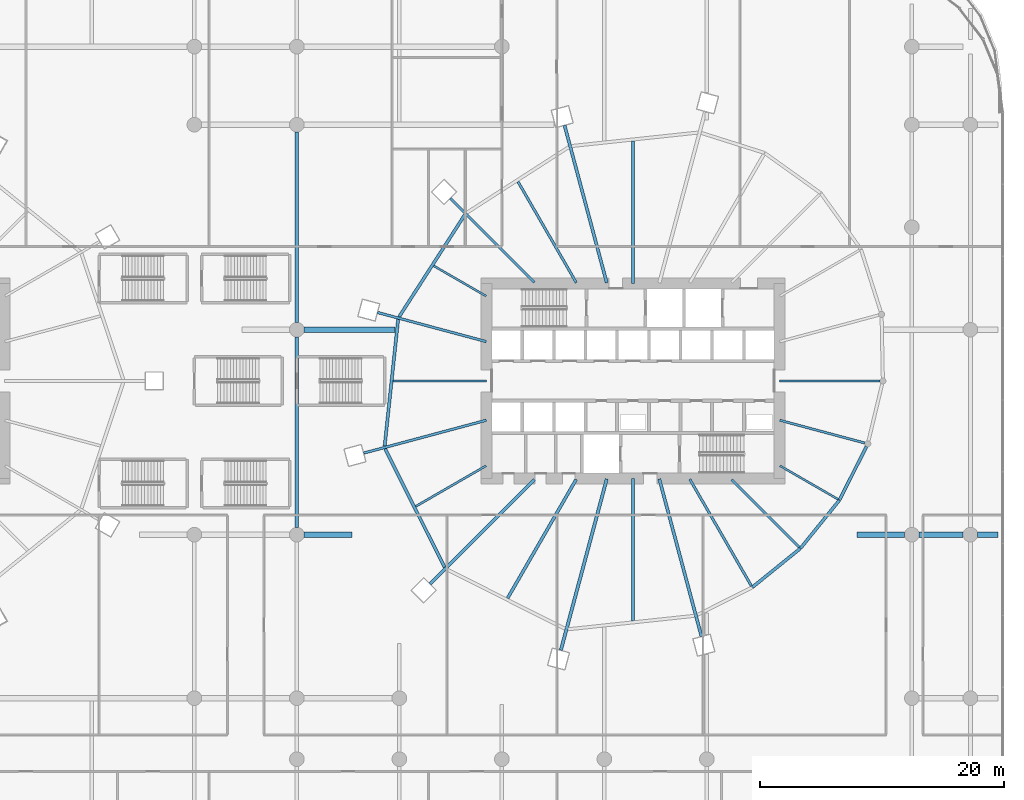
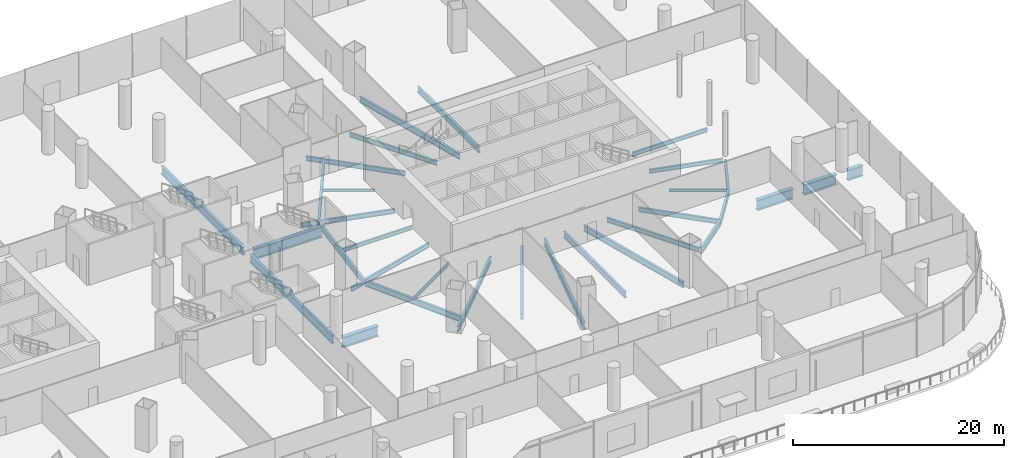
# One storey, part 18 of 51: 32 beams.
"""IFC4 building model written with IfcOpenShell, lengths in metres."""

from ifc_helpers import new_model, si_unit, direction, frame, origin, origin_2d, place, context, subcontext, project, spatial, i_section, extrude, material, material_profile, profile_set, type_object, element, save


model = new_model("IFC4")

# Units and contexts
model_context = context("Model", 3, precision=1e-05, world=origin(), true_north=direction((0.0, 1.0)))
body_context = subcontext(model_context, "Body", "Model", "MODEL_VIEW")
ifc_project = project(units=[si_unit("LENGTHUNIT", "METRE"), si_unit("AREAUNIT", "SQUARE_METRE"), si_unit("VOLUMEUNIT", "CUBIC_METRE"), si_unit("PLANEANGLEUNIT", "RADIAN"), si_unit("MASSUNIT", "GRAM", prefix="KILO")], contexts=[model_context])

# Site, building, storey
site_placement = place(None, origin())
site = spatial("IfcSite", under=ifc_project, at=site_placement, CompositionType="ELEMENT")
building_placement = place(site_placement, origin())
building = spatial("IfcBuilding", under=site, at=building_placement, Name="Rimbun Link Towers", CompositionType="ELEMENT")
storey_placement = place(building_placement, frame((0.0, 0.0, 7.0)))
storey = spatial("IfcBuildingStorey", under=building, at=storey_placement, Name="L01", CompositionType="ELEMENT", Elevation=7.0)

# Beams
ifc_material_1 = material(Name="Steel S355J2", Category="steel")
ifc_material_profile_1 = material_profile(ifc_material_1, i_section(OverallWidth=0.449951171875, OverallDepth=1.199951171875, WebThickness=0.030029296875, FlangeThickness=0.044921875, at=origin_2d()), Name="PG 1200x450x30/45")
ifc_profile_set_1 = profile_set([ifc_material_profile_1], Name="Steel S355J2")
beam_type_1 = type_object("IfcBeamType", Name="PG 1200x450x30/45", PredefinedType="BEAM", material=ifc_profile_set_1)
for number, where, z_axis, x_axis, name in (
    (1, (4.800048828125, -12.60009765625, -0.89990234375), (1.0, 0.0, 0.0), (0.0, 1.0, 0.0), "Grid beam L01 -12.6"),
    (2, (50.10009765625, -12.60009765625, -0.89990234375), (1.0, 0.0, 0.0), (0.0, 1.0, 0.0), "Grid beam L01 -12.6"),
):
    element("IfcBeam", number, at=place(storey_placement, frame(where, z_axis=z_axis, x_axis=x_axis)), inside=storey, type_object=beam_type_1, Name=name, PredefinedType="BEAM", context=body_context, shape_type="SweptSolid", body=[
        extrude(i_section(OverallWidth=0.449951171875, OverallDepth=1.199951171875, WebThickness=0.030029296875, FlangeThickness=0.044921875, at=origin_2d()), origin(), (0.0, 0.0, 1.0), 3.89990234375),
    ])
beam_1_placement = place(storey_placement, frame((55.199951171875, -12.60009765625, -0.89990234375), z_axis=(1.0, 0.0, 0.0), x_axis=(0.0, 1.0, 0.0)))
element("IfcBeam", 3, at=beam_1_placement, inside=storey, type_object=beam_type_1, Name="Grid beam L01 -12.6", PredefinedType="BEAM", context=body_context, shape_type="SweptSolid", body=[
    extrude(i_section(OverallWidth=0.449951171875, OverallDepth=1.199951171875, WebThickness=0.030029296875, FlangeThickness=0.044921875, at=origin_2d()), origin(), (0.0, 0.0, 1.0), 3.60009765625),
])
beam_2_placement = place(storey_placement, frame((60.0, -12.60009765625, -0.89990234375), z_axis=(1.0, 0.0, 0.0), x_axis=(0.0, 1.0, 0.0)))
element("IfcBeam", 4, at=beam_2_placement, inside=storey, type_object=beam_type_1, Name="Grid beam L01 -12.6", PredefinedType="BEAM", context=body_context, shape_type="SweptSolid", body=[
    extrude(i_section(OverallWidth=0.449951171875, OverallDepth=1.199951171875, WebThickness=0.030029296875, FlangeThickness=0.044921875, at=origin_2d()), origin(), (0.0, 0.0, 1.0), 1.649169921875),
])
beam_3_placement = place(storey_placement, frame((4.800048828125, 4.199951171875, -0.89990234375), z_axis=(1.0, 0.0, 0.0), x_axis=(0.0, 1.0, 0.0)))
element("IfcBeam", 5, at=beam_3_placement, inside=storey, type_object=beam_type_1, Name="Grid beam L01 +4.2", PredefinedType="BEAM", context=body_context, shape_type="SweptSolid", body=[
    extrude(i_section(OverallWidth=0.449951171875, OverallDepth=1.199951171875, WebThickness=0.030029296875, FlangeThickness=0.044921875, at=origin_2d()), origin(), (0.0, 0.0, 1.0), 7.45751953125),
])
ifc_material_2 = material(Name="Steel S355J2", Category="steel")
ifc_material_profile_2 = material_profile(ifc_material_2, i_section(OverallWidth=0.1650390625, OverallDepth=0.303466796875, WebThickness=0.006103515625, FlangeThickness=0.01025390625, at=origin_2d()), Name="UB 305x165x40")
ifc_profile_set_2 = profile_set([ifc_material_profile_2], Name="Steel S355J2")
beam_type_2 = type_object("IfcBeamType", Name="UB 305x165x40", PredefinedType="BEAM", material=ifc_profile_set_2)
beam_4_placement = place(storey_placement, frame((19.7080078125, 6.952392578125, -0.45166015625), z_axis=(-0.866029649098, 0.49999264683, 0.0), x_axis=(-0.49999264683, -0.866029649098, 0.0)))
element("IfcBeam", 6, at=beam_4_placement, inside=storey, type_object=beam_type_2, Name="Radial beam T2 L01 07", PredefinedType="BEAM", context=body_context, shape_type="SweptSolid", body=[
    extrude(i_section(OverallWidth=0.1650390625, OverallDepth=0.303466796875, WebThickness=0.006103515625, FlangeThickness=0.01025390625, at=origin_2d()), origin(), (0.0, 0.0, 1.0), 4.95361328125),
])
beam_5_placement = place(storey_placement, frame((43.7919921875, -6.952392578125, -0.45166015625), z_axis=(0.86600383438, -0.500037357444, 0.0), x_axis=(0.500037357444, 0.86600383438, 0.0)))
element("IfcBeam", 7, at=beam_5_placement, inside=storey, type_object=beam_type_2, Name="Radial beam T2 L01 19", PredefinedType="BEAM", context=body_context, shape_type="SweptSolid", body=[
    extrude(i_section(OverallWidth=0.1650390625, OverallDepth=0.303466796875, WebThickness=0.006103515625, FlangeThickness=0.01025390625, at=origin_2d()), origin(), (0.0, 0.0, 1.0), 5.5029296875),
])
ifc_material_3 = material(Name="Steel S355J2", Category="steel")
ifc_material_profile_3 = material_profile(ifc_material_3, i_section(OverallWidth=0.177978515625, OverallDepth=0.406494140625, WebThickness=0.0078125, FlangeThickness=0.0126953125, at=origin_2d()), Name="UB 406x178x60")
ifc_profile_set_3 = profile_set([ifc_material_profile_3], Name="Steel S355J2")
beam_type_3 = type_object("IfcBeamType", Name="UB 406x178x60", PredefinedType="BEAM", material=ifc_profile_set_3)
beam_6_placement = place(storey_placement, frame((19.70458984375, -6.954345703125, -0.503173828125), z_axis=(-0.866016262799, -0.500015832317, 0.0), x_axis=(0.500015832317, -0.866016262799, 0.0)))
element("IfcBeam", 8, at=beam_6_placement, inside=storey, type_object=beam_type_3, Name="Radial beam T2 L01 11", PredefinedType="BEAM", context=body_context, shape_type="SweptSolid", body=[
    extrude(i_section(OverallWidth=0.177978515625, OverallDepth=0.406494140625, WebThickness=0.0078125, FlangeThickness=0.0126953125, at=origin_2d()), origin(), (0.0, 0.0, 1.0), 6.651123046875),
])
ifc_material_4 = material(Name="Steel S355J2", Category="steel")
ifc_material_profile_4 = material_profile(ifc_material_4, i_section(OverallWidth=0.18994140625, OverallDepth=0.453369140625, WebThickness=0.008544921875, FlangeThickness=0.0126953125, at=origin_2d()), Name="UB 457x191x67")
ifc_profile_set_4 = profile_set([ifc_material_profile_4], Name="Steel S355J2")
beam_type_4 = type_object("IfcBeamType", Name="UB 457x191x67", PredefinedType="BEAM", material=ifc_profile_set_4)
beam_7_placement = place(storey_placement, frame((19.7490234375, 0.0, -0.526611328125), z_axis=(-1.0, 0.0, 0.0), x_axis=(0.0, -1.0, 0.0)))
element("IfcBeam", 9, at=beam_7_placement, inside=storey, type_object=beam_type_4, Name="Radial beam T2 L01 09", PredefinedType="BEAM", context=body_context, shape_type="SweptSolid", body=[
    extrude(i_section(OverallWidth=0.18994140625, OverallDepth=0.453369140625, WebThickness=0.008544921875, FlangeThickness=0.0126953125, at=origin_2d()), origin(), (0.0, 0.0, 1.0), 7.65771484375),
])
beam_8_placement = place(storey_placement, frame((43.775390625, -3.22216796875, -0.526611328125), z_axis=(0.965928471546, -0.258809172667, 0.0), x_axis=(0.258809172667, 0.965928471546, 0.0)))
element("IfcBeam", 10, at=beam_8_placement, inside=storey, type_object=beam_type_4, Name="Radial beam T2 L01 20", PredefinedType="BEAM", context=body_context, shape_type="SweptSolid", body=[
    extrude(i_section(OverallWidth=0.18994140625, OverallDepth=0.453369140625, WebThickness=0.008544921875, FlangeThickness=0.0126953125, at=origin_2d()), origin(), (0.0, 0.0, 1.0), 7.2353515625),
])
beam_9_placement = place(storey_placement, frame((43.7509765625, 0.0, -0.526611328125), z_axis=(1.0, 0.0, 0.0), x_axis=(0.0, 1.0, 0.0)))
element("IfcBeam", 11, at=beam_9_placement, inside=storey, type_object=beam_type_4, Name="Radial beam T2 L01 21", PredefinedType="BEAM", context=body_context, shape_type="SweptSolid", body=[
    extrude(i_section(OverallWidth=0.18994140625, OverallDepth=0.453369140625, WebThickness=0.008544921875, FlangeThickness=0.0126953125, at=origin_2d()), origin(), (0.0, 0.0, 1.0), 8.243408203125),
])
ifc_material_5 = material(Name="Steel S355J2", Category="steel")
ifc_material_profile_5 = material_profile(ifc_material_5, i_section(OverallWidth=0.209228515625, OverallDepth=0.533203125, WebThickness=0.010009765625, FlangeThickness=0.015625, at=origin_2d()), Name="UB 533x210x92")
ifc_profile_set_5 = profile_set([ifc_material_profile_5], Name="Steel S355J2")
beam_type_5 = type_object("IfcBeamType", Name="UB 533x210x92", PredefinedType="BEAM", material=ifc_profile_set_5)
beam_10_placement = place(storey_placement, frame((27.1005859375, 8.05322265625, -0.56640625), z_axis=(-0.500001003139, 0.866024824621, 0.0), x_axis=(-0.866024824621, -0.500001003139, 0.0)))
element("IfcBeam", 12, at=beam_10_placement, inside=storey, type_object=beam_type_5, Name="Radial beam T2 L01 05", PredefinedType="BEAM", context=body_context, shape_type="SweptSolid", body=[
    extrude(i_section(OverallWidth=0.209228515625, OverallDepth=0.533203125, WebThickness=0.010009765625, FlangeThickness=0.015625, at=origin_2d()), origin(), (0.0, 0.0, 1.0), 9.5595703125),
])
beam_11_placement = place(storey_placement, frame((23.67529296875, 8.07470703125, -0.56640625), z_axis=(-0.707106781187, 0.707106781187, 0.0), x_axis=(-0.707106781187, -0.707106781187, 0.0)))
element("IfcBeam", 13, at=beam_11_placement, inside=storey, type_object=beam_type_5, Name="Radial beam T2 L01 06", PredefinedType="BEAM", context=body_context, shape_type="SweptSolid", body=[
    extrude(i_section(OverallWidth=0.209228515625, OverallDepth=0.533203125, WebThickness=0.010009765625, FlangeThickness=0.015625, at=origin_2d()), origin(), (0.0, 0.0, 1.0), 9.73486328125),
])
beam_12_placement = place(storey_placement, frame((19.721923828125, 3.222900390625, -0.56640625), z_axis=(-0.965927485499, 0.258812852768, 0.0), x_axis=(-0.258812852768, -0.965927485499, 0.0)))
element("IfcBeam", 14, at=beam_12_placement, inside=storey, type_object=beam_type_5, Name="Radial beam T2 L01 08", PredefinedType="BEAM", context=body_context, shape_type="SweptSolid", body=[
    extrude(i_section(OverallWidth=0.209228515625, OverallDepth=0.533203125, WebThickness=0.010009765625, FlangeThickness=0.015625, at=origin_2d()), origin(), (0.0, 0.0, 1.0), 9.219970703125),
])
beam_13_placement = place(storey_placement, frame((19.721923828125, -3.222900390625, -0.56640625), z_axis=(-0.965924246626, -0.258824940413, 0.0), x_axis=(0.258824940413, -0.965924246626, 0.0)))
element("IfcBeam", 15, at=beam_13_placement, inside=storey, type_object=beam_type_5, Name="Radial beam T2 L01 10", PredefinedType="BEAM", context=body_context, shape_type="SweptSolid", body=[
    extrude(i_section(OverallWidth=0.209228515625, OverallDepth=0.533203125, WebThickness=0.010009765625, FlangeThickness=0.015625, at=origin_2d()), origin(), (0.0, 0.0, 1.0), 10.391845703125),
])
beam_14_placement = place(storey_placement, frame((36.3994140625, -8.05322265625, -0.56640625), z_axis=(0.500024888386, -0.866011033991, 0.0), x_axis=(0.866011033991, 0.500024888386, 0.0)))
element("IfcBeam", 16, at=beam_14_placement, inside=storey, type_object=beam_type_5, Name="Radial beam T2 L01 17", PredefinedType="BEAM", context=body_context, shape_type="SweptSolid", body=[
    extrude(i_section(OverallWidth=0.209228515625, OverallDepth=0.533203125, WebThickness=0.010009765625, FlangeThickness=0.015625, at=origin_2d()), origin(), (0.0, 0.0, 1.0), 10.10888671875),
])
beam_15_placement = place(storey_placement, frame((39.82470703125, -8.07470703125, -0.56640625), z_axis=(0.707106781187, -0.707106781187, 0.0), x_axis=(0.707106781187, 0.707106781187, 0.0)))
element("IfcBeam", 17, at=beam_15_placement, inside=storey, type_object=beam_type_5, Name="Radial beam T2 L01 18", PredefinedType="BEAM", context=body_context, shape_type="SweptSolid", body=[
    extrude(i_section(OverallWidth=0.209228515625, OverallDepth=0.533203125, WebThickness=0.010009765625, FlangeThickness=0.015625, at=origin_2d()), origin(), (0.0, 0.0, 1.0), 7.85546875),
])
ifc_material_6 = material(Name="Steel S355J2", Category="steel")
ifc_material_profile_6 = material_profile(ifc_material_6, i_section(OverallWidth=0.253662109375, OverallDepth=0.68359375, WebThickness=0.012451171875, FlangeThickness=0.01904296875, at=origin_2d()), Name="UB 686x254x140")
ifc_profile_set_6 = profile_set([ifc_material_profile_6], Name="Steel S355J2")
beam_type_6 = type_object("IfcBeamType", Name="UB 686x254x140", PredefinedType="BEAM", material=ifc_profile_set_6)
beam_16_placement = place(storey_placement, frame((31.75, 8.0009765625, -0.641845703125), z_axis=(0.0, 1.0, 0.0), x_axis=(-1.0, 0.0, 0.0)))
element("IfcBeam", 18, at=beam_16_placement, inside=storey, type_object=beam_type_6, Name="Radial beam T2 L01 03", PredefinedType="BEAM", context=body_context, shape_type="SweptSolid", body=[
    extrude(i_section(OverallWidth=0.253662109375, OverallDepth=0.68359375, WebThickness=0.012451171875, FlangeThickness=0.01904296875, at=origin_2d()), origin(), (0.0, 0.0, 1.0), 11.65771484375),
])
beam_17_placement = place(storey_placement, frame((29.597412109375, 8.03369140625, -0.641845703125), z_axis=(-0.258816190288, 0.96592659123, 0.0), x_axis=(-0.96592659123, -0.258816190288, 0.0)))
element("IfcBeam", 19, at=beam_17_placement, inside=storey, type_object=beam_type_6, Name="Radial beam T2 L01 04", PredefinedType="BEAM", context=body_context, shape_type="SweptSolid", body=[
    extrude(i_section(OverallWidth=0.253662109375, OverallDepth=0.68359375, WebThickness=0.012451171875, FlangeThickness=0.01904296875, at=origin_2d()), origin(), (0.0, 0.0, 1.0), 13.355224609375),
])
beam_18_placement = place(storey_placement, frame((23.65966796875, -8.09033203125, -0.641845703125), z_axis=(-0.707106781187, -0.707106781187, 0.0), x_axis=(0.707106781187, -0.707106781187, 0.0)))
element("IfcBeam", 20, at=beam_18_placement, inside=storey, type_object=beam_type_6, Name="Radial beam T2 L01 12", PredefinedType="BEAM", context=body_context, shape_type="SweptSolid", body=[
    extrude(i_section(OverallWidth=0.253662109375, OverallDepth=0.68359375, WebThickness=0.012451171875, FlangeThickness=0.01904296875, at=origin_2d()), origin(), (0.0, 0.0, 1.0), 12.0712890625),
])
beam_19_placement = place(storey_placement, frame((27.093994140625, -8.064208984375, -0.641845703125), z_axis=(-0.499995511288, -0.866027995328, 0.0), x_axis=(0.866027995328, -0.499995511288, 0.0)))
element("IfcBeam", 21, at=beam_19_placement, inside=storey, type_object=beam_type_6, Name="Radial beam T2 L01 13", PredefinedType="BEAM", context=body_context, shape_type="SweptSolid", body=[
    extrude(i_section(OverallWidth=0.253662109375, OverallDepth=0.68359375, WebThickness=0.012451171875, FlangeThickness=0.01904296875, at=origin_2d()), origin(), (0.0, 0.0, 1.0), 11.248046875),
])
beam_20_placement = place(storey_placement, frame((31.75, -8.0009765625, -0.641845703125), z_axis=(0.0, -1.0, 0.0), x_axis=(1.0, 0.0, 0.0)))
element("IfcBeam", 22, at=beam_20_placement, inside=storey, type_object=beam_type_6, Name="Radial beam T2 L01 15", PredefinedType="BEAM", context=body_context, shape_type="SweptSolid", body=[
    extrude(i_section(OverallWidth=0.253662109375, OverallDepth=0.68359375, WebThickness=0.012451171875, FlangeThickness=0.01904296875, at=origin_2d()), origin(), (0.0, 0.0, 1.0), 11.65771484375),
])
beam_21_placement = place(storey_placement, frame((33.902587890625, -8.03369140625, -0.641845703125), z_axis=(0.258816190288, -0.96592659123, 0.0), x_axis=(0.96592659123, 0.258816190288, 0.0)))
element("IfcBeam", 23, at=beam_21_placement, inside=storey, type_object=beam_type_6, Name="Radial beam T2 L01 16", PredefinedType="BEAM", context=body_context, shape_type="SweptSolid", body=[
    extrude(i_section(OverallWidth=0.253662109375, OverallDepth=0.68359375, WebThickness=0.012451171875, FlangeThickness=0.01904296875, at=origin_2d()), origin(), (0.0, 0.0, 1.0), 13.355224609375),
])
beam_22_placement = place(storey_placement, frame((17.9716796875, 13.62890625, -0.641845703125), z_axis=(-0.541606359312, -0.840632233235, 0.0), x_axis=(0.840632233235, -0.541606359312, 0.0)))
element("IfcBeam", 24, at=beam_22_placement, inside=storey, type_object=beam_type_6, Name="Edge beam T2 L01 06-08", PredefinedType="BEAM", context=body_context, shape_type="SweptSolid", body=[
    extrude(i_section(OverallWidth=0.253662109375, OverallDepth=0.68359375, WebThickness=0.012451171875, FlangeThickness=0.01904296875, at=origin_2d()), origin(), (0.0, 0.0, 1.0), 9.9697265625),
])
beam_23_placement = place(storey_placement, frame((12.50048828125, 5.048583984375, -0.641845703125), z_axis=(-0.105900549099, -0.994376726246, 0.0), x_axis=(0.994376726246, -0.105900549099, 0.0)))
element("IfcBeam", 25, at=beam_23_placement, inside=storey, type_object=beam_type_6, Name="Edge beam T2 L01 08-10", PredefinedType="BEAM", context=body_context, shape_type="SweptSolid", body=[
    extrude(i_section(OverallWidth=0.253662109375, OverallDepth=0.68359375, WebThickness=0.012451171875, FlangeThickness=0.01904296875, at=origin_2d()), origin(), (0.0, 0.0, 1.0), 10.45263671875),
])
beam_24_placement = place(storey_placement, frame((11.429931640625, -5.55419921875, -0.641845703125), z_axis=(0.448516294104, -0.893774655002, 0.0), x_axis=(0.893774655002, 0.448516294104, 0.0)))
element("IfcBeam", 26, at=beam_24_placement, inside=storey, type_object=beam_type_6, Name="Edge beam T2 L01 10-12", PredefinedType="BEAM", context=body_context, shape_type="SweptSolid", body=[
    extrude(i_section(OverallWidth=0.253662109375, OverallDepth=0.68359375, WebThickness=0.012451171875, FlangeThickness=0.01904296875, at=origin_2d()), origin(), (0.0, 0.0, 1.0), 10.865966796875),
])
for number, where, z_axis, x_axis, name in (
    (27, (41.529296875, -16.909423828125, -0.641845703125), (0.777298851758, 0.629131540345, 0.0), (-0.629131540345, 0.777298851758, 0.0), "Edge beam T2 L01 17"),
    (28, (45.47900390625, -13.708740234375, -0.641845703125), (0.629131540345, 0.777298851758, 0.0), (-0.777298851758, 0.629131540345, 0.0), "Edge beam T2 L01 18"),
):
    element("IfcBeam", number, at=place(storey_placement, frame(where, z_axis=z_axis, x_axis=x_axis)), inside=storey, type_object=beam_type_6, Name=name, PredefinedType="BEAM", context=body_context, shape_type="SweptSolid", body=[
        extrude(i_section(OverallWidth=0.253662109375, OverallDepth=0.68359375, WebThickness=0.012451171875, FlangeThickness=0.01904296875, at=origin_2d()), origin(), (0.0, 0.0, 1.0), 5.05517578125),
    ])
beam_25_placement = place(storey_placement, frame((48.67529296875, -9.7548828125, -0.641845703125), z_axis=(0.449213825597, 0.893424277089, 0.0), x_axis=(-0.893424277089, 0.449213825597, 0.0)))
element("IfcBeam", 29, at=beam_25_placement, inside=storey, type_object=beam_type_6, Name="Edge beam T2 L01 19", PredefinedType="BEAM", context=body_context, shape_type="SweptSolid", body=[
    extrude(i_section(OverallWidth=0.253662109375, OverallDepth=0.68359375, WebThickness=0.012451171875, FlangeThickness=0.01904296875, at=origin_2d()), origin(), (0.0, 0.0, 1.0), 4.92822265625),
])
ifc_material_7 = material(Name="Steel S355J2", Category="steel")
ifc_material_profile_7 = material_profile(ifc_material_7, i_section(OverallWidth=0.2666015625, OverallDepth=0.76220703125, WebThickness=0.014404296875, FlangeThickness=0.021484375, at=origin_2d()), Name="UB 762x267x173")
ifc_profile_set_7 = profile_set([ifc_material_profile_7], Name="Steel S355J2")
beam_type_7 = type_object("IfcBeamType", Name="UB 762x267x173", PredefinedType="BEAM", material=ifc_profile_set_7)
beam_26_placement = place(storey_placement, frame((29.596923828125, -8.035400390625, -0.68115234375), z_axis=(-0.25882261837, -0.965924868828, 0.0), x_axis=(0.965924868828, -0.25882261837, 0.0)))
element("IfcBeam", 30, at=beam_26_placement, inside=storey, type_object=beam_type_7, Name="Radial beam T2 L01 14", PredefinedType="BEAM", context=body_context, shape_type="SweptSolid", body=[
    extrude(i_section(OverallWidth=0.2666015625, OverallDepth=0.76220703125, WebThickness=0.014404296875, FlangeThickness=0.021484375, at=origin_2d()), origin(), (0.0, 0.0, 1.0), 14.525390625),
])
ifc_material_8 = material(Name="Steel S355J2", Category="steel")
ifc_material_profile_8 = material_profile(ifc_material_8, i_section(OverallWidth=0.305419921875, OverallDepth=0.91845703125, WebThickness=0.017333984375, FlangeThickness=0.02783203125, at=origin_2d()), Name="UB 914x305x253")
ifc_profile_set_8 = profile_set([ifc_material_profile_8], Name="Steel S355J2")
beam_type_8 = type_object("IfcBeamType", Name="UB 914x305x253", PredefinedType="BEAM", material=ifc_profile_set_8)
beam_27_placement = place(storey_placement, frame((4.199951171875, -12.0, -0.75927734375), z_axis=(0.0, 1.0, 0.0), x_axis=(-1.0, 0.0, 0.0)))
element("IfcBeam", 31, at=beam_27_placement, inside=storey, type_object=beam_type_8, Name="Grid beam L01 +4.2", PredefinedType="BEAM", context=body_context, shape_type="SweptSolid", body=[
    extrude(i_section(OverallWidth=0.305419921875, OverallDepth=0.91845703125, WebThickness=0.017333984375, FlangeThickness=0.02783203125, at=origin_2d()), origin(), (0.0, 0.0, 1.0), 15.60009765625),
])
beam_28_placement = place(storey_placement, frame((4.199951171875, 4.800048828125, -0.75927734375), z_axis=(0.0, 1.0, 0.0), x_axis=(-1.0, 0.0, 0.0)))
element("IfcBeam", 32, at=beam_28_placement, inside=storey, type_object=beam_type_8, Name="Grid beam L01 +4.2", PredefinedType="BEAM", context=body_context, shape_type="SweptSolid", body=[
    extrude(i_section(OverallWidth=0.305419921875, OverallDepth=0.91845703125, WebThickness=0.017333984375, FlangeThickness=0.02783203125, at=origin_2d()), origin(), (0.0, 0.0, 1.0), 15.599853515625),
])

save(model, "model.ifc")
